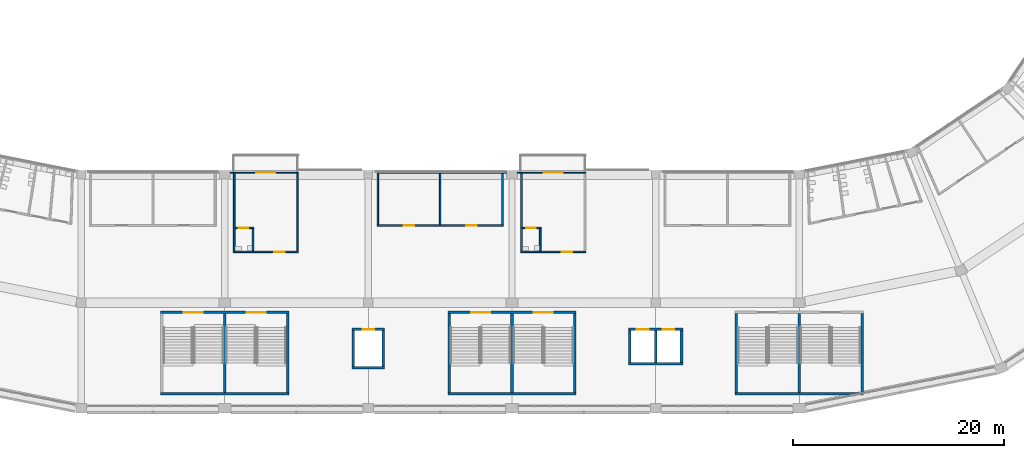
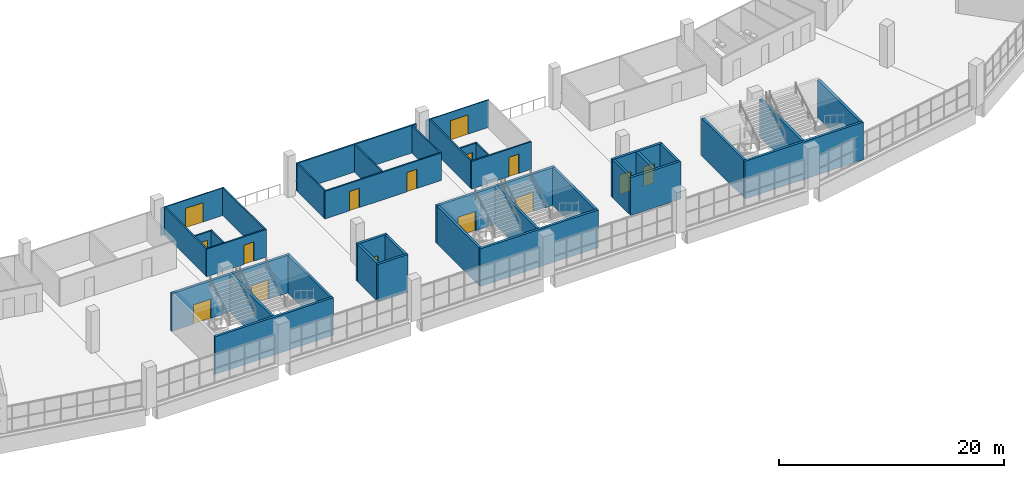
# One storey, part 75 of 199: 38 walls, 15 doors, 15 openings.
"""IFC4 building model written with IfcOpenShell, lengths in metres."""

from ifc_helpers import new_model, si_unit, direction, frame, frame_2d, origin, place, context, subcontext, project, spatial, rectangle, extrude, material, layer, layer_set, type_object, element, fill, save


model = new_model("IFC4")

# Units and contexts
model_context = context("Model", 3, precision=1e-05, world=origin(), true_north=direction((0.0, 1.0)))
body_context = subcontext(model_context, "Body", "Model", "MODEL_VIEW")
ifc_project = project(units=[si_unit("LENGTHUNIT", "METRE"), si_unit("AREAUNIT", "SQUARE_METRE"), si_unit("VOLUMEUNIT", "CUBIC_METRE"), si_unit("PLANEANGLEUNIT", "RADIAN"), si_unit("MASSUNIT", "GRAM", prefix="KILO")], contexts=[model_context])

# Site, building, storey
site_placement = place(None, origin())
site = spatial("IfcSite", under=ifc_project, at=site_placement, CompositionType="ELEMENT")
building_placement = place(site_placement, origin())
building = spatial("IfcBuilding", under=site, at=building_placement, Name="Ogive Plaza Stadium", CompositionType="ELEMENT")
storey_placement = place(building_placement, frame((0.0, 0.0, 9.0)))
storey = spatial("IfcBuildingStorey", under=building, at=storey_placement, Name="L02", CompositionType="ELEMENT", Elevation=9.0)

# Wall, opening, door
ifc_material_1 = material(Name="Masonry blockwork", Category="masonry")
ifc_layer_1 = layer(ifc_material_1, 0.14990234375)
ifc_layer_set_1 = layer_set([ifc_layer_1], Name="Blockwork wall 150")
wall_type_1 = type_object("IfcWallType", Name="Blockwork wall 150", PredefinedType="SOLIDWALL", material=ifc_layer_set_1)
wall_1_placement = place(storey_placement, frame((7.625, -87.699951171875, 0.0), z_axis=(0.0, 0.0, 1.0), x_axis=(1.0, 0.0, 0.0)))
wall_1 = element("IfcWall", 1, at=wall_1_placement, inside=storey, type_object=wall_type_1, Name="Wall L02 B13", PredefinedType="SOLIDWALL", context=body_context, shape_type="SweptSolid", body=[
    extrude(rectangle(XDim=6.14990234375, YDim=0.14990234375, at=frame_2d((3.074951171875, 0.0))), origin(), (0.0, 0.0, 1.0), 3.0),
])
opening_1_placement = place(wall_1_placement, frame((3.862060546875, 0.0, 0.0)))
opening_1 = element("IfcOpeningElement", 2, at=opening_1_placement, cuts=wall_1, Name="Opening D0657", PredefinedType="OPENING", context=body_context, shape_type="SweptSolid", body=[
    extrude(rectangle(XDim=1.0, YDim=2.10009765625, at=frame_2d((0.5, 1.050048828125))), frame((0.0, 0.074951171875, 0.0), z_axis=(0.0, -1.0, 0.0), x_axis=(1.0, 0.0, 0.0)), (0.0, 0.0, 1.0), 0.14990234375),
])
ifc_material_2 = material(Name="Steel ASTM A572 Grade 50", Category="steel")
door_type_1 = type_object("IfcDoorType", Name="Fire door FD30S 1000 x 2100", OperationType="SINGLE_SWING_LEFT", PredefinedType="DOOR", material=ifc_material_2)
door_1_placement = place(opening_1_placement, origin())
door_1 = element("IfcDoor", 3, at=door_1_placement, inside=storey, type_object=door_type_1, Name="Hospitality Suite B13 door", OperationType="SINGLE_SWING_LEFT", OverallHeight=2.10009765625, OverallWidth=1.0, PredefinedType="DOOR", context=body_context, shape_type="SweptSolid", body=[
    extrude(rectangle(XDim=1.0, YDim=2.10009765625, at=frame_2d((0.5, 1.050048828125))), frame((0.0, 0.02490234375, 0.0), z_axis=(0.0, -1.0, 0.0), x_axis=(1.0, 0.0, 0.0)), (0.0, 0.0, 1.0), 0.050048828125),
])
fill(opening_1, door_1)

# Walls
wall_2_placement = place(storey_placement, frame((7.699951171875, -80.25, 0.0), z_axis=(0.0, 0.0, 1.0), x_axis=(0.0, -1.0, 0.0)))
element("IfcWall", 4, at=wall_2_placement, inside=storey, type_object=wall_type_1, Name="Wall L02 B13", PredefinedType="SOLIDWALL", context=body_context, shape_type="SweptSolid", body=[
    extrude(rectangle(XDim=7.375, YDim=0.14990234375, at=frame_2d((3.6875, 0.0))), origin(), (0.0, 0.0, 1.0), 3.0),
])
wall_3_placement = place(storey_placement, frame((6.300048828125, -80.199951171875, 0.0), z_axis=(0.0, 0.0, 1.0), x_axis=(-1.0, 0.0, 0.0)))
element("IfcWall", 5, at=wall_3_placement, inside=storey, type_object=wall_type_1, Name="Wall L02 B14", PredefinedType="SOLIDWALL", context=body_context, shape_type="SweptSolid", body=[
    extrude(rectangle(XDim=12.275146484375, YDim=0.14990234375, at=frame_2d((6.1376953125, 0.0))), origin(), (0.0, 0.0, 1.0), 3.0),
])

# Wall, openings, doors
wall_4_placement = place(storey_placement, frame((5.97509765625, -85.199951171875, 0.0), z_axis=(0.0, 0.0, 1.0), x_axis=(-1.0, 0.0, 0.0)))
wall_4 = element("IfcWall", 6, at=wall_4_placement, inside=storey, type_object=wall_type_1, Name="Wall L02 B14", PredefinedType="SOLIDWALL", context=body_context, shape_type="SweptSolid", body=[
    extrude(rectangle(XDim=11.9501953125, YDim=0.14990234375, at=frame_2d((5.97509765625, 0.0))), origin(), (0.0, 0.0, 1.0), 3.0),
])
opening_2_placement = place(wall_4_placement, frame((2.52490234375, 0.0, 0.0)))
opening_2 = element("IfcOpeningElement", 7, at=opening_2_placement, cuts=wall_4, Name="Opening D0660", PredefinedType="OPENING", context=body_context, shape_type="SweptSolid", body=[
    extrude(rectangle(XDim=1.0, YDim=2.10009765625, at=frame_2d((0.5, 1.050048828125))), frame((0.0, 0.074951171875, 0.0), z_axis=(0.0, -1.0, 0.0), x_axis=(1.0, 0.0, 0.0)), (0.0, 0.0, 1.0), 0.14990234375),
])
opening_3_placement = place(wall_4_placement, frame((8.425048828125, 0.0, 0.0)))
opening_3 = element("IfcOpeningElement", 8, at=opening_3_placement, cuts=wall_4, Name="Opening D0661", PredefinedType="OPENING", context=body_context, shape_type="SweptSolid", body=[
    extrude(rectangle(XDim=1.0, YDim=2.10009765625, at=frame_2d((0.5, 1.050048828125))), frame((0.0, 0.074951171875, 0.0), z_axis=(0.0, -1.0, 0.0), x_axis=(1.0, 0.0, 0.0)), (0.0, 0.0, 1.0), 0.14990234375),
])
ifc_material_3 = material(Name="Steel ASTM A572 Grade 50", Category="steel")
door_type_2 = type_object("IfcDoorType", Name="Fire door FD60 1000 x 2100", OperationType="SINGLE_SWING_LEFT", PredefinedType="DOOR", material=ifc_material_3)
door_2_placement = place(opening_2_placement, origin())
door_2 = element("IfcDoor", 9, at=door_2_placement, inside=storey, type_object=door_type_2, Name="Hospitality Pantry B14 door", OperationType="SINGLE_SWING_LEFT", OverallHeight=2.10009765625, OverallWidth=1.0, PredefinedType="DOOR", context=body_context, shape_type="SweptSolid", body=[
    extrude(rectangle(XDim=1.0, YDim=2.10009765625, at=frame_2d((0.5, 1.050048828125))), frame((0.0, 0.02490234375, 0.0), z_axis=(0.0, -1.0, 0.0), x_axis=(1.0, 0.0, 0.0)), (0.0, 0.0, 1.0), 0.050048828125),
])
fill(opening_2, door_2)
door_3_placement = place(opening_3_placement, origin())
door_3 = element("IfcDoor", 10, at=door_3_placement, inside=storey, type_object=door_type_2, Name="Hospitality Store B14 door", OperationType="SINGLE_SWING_RIGHT", OverallHeight=2.10009765625, OverallWidth=1.0, PredefinedType="DOOR", context=body_context, shape_type="SweptSolid", body=[
    extrude(rectangle(XDim=1.0, YDim=2.10009765625, at=frame_2d((0.5, 1.050048828125))), frame((0.0, 0.02490234375, 0.0), z_axis=(0.0, -1.0, 0.0), x_axis=(1.0, 0.0, 0.0)), (0.0, 0.0, 1.0), 0.050048828125),
])
fill(opening_3, door_3)

# Walls
for number, where, z_axis, x_axis, name in (
    (11, (5.89990234375, -80.27490234375, 0.0), (0.0, 0.0, 1.0), (0.0, -1.0, 0.0), "Wall L02 B14"),
    (12, (0.0, -80.27490234375, 0.0), (0.0, 0.0, 1.0), (0.0, -1.0, 0.0), "Wall L02 B14"),
    (13, (-5.89990234375, -80.27490234375, 0.0), (0.0, 0.0, 1.0), (0.0, -1.0, 0.0), "Wall L02 B14"),
):
    element("IfcWall", number, at=place(storey_placement, frame(where, z_axis=z_axis, x_axis=x_axis)), inside=storey, type_object=wall_type_1, Name=name, PredefinedType="SOLIDWALL", context=body_context, shape_type="SweptSolid", body=[
        extrude(rectangle(XDim=4.85009765625, YDim=0.14990234375, at=frame_2d((2.425048828125, 0.0))), origin(), (0.0, 0.0, 1.0), 3.0),
    ])

# Wall, opening, door
wall_5_placement = place(storey_placement, frame((-19.574951171875, -87.699951171875, 0.0), z_axis=(0.0, 0.0, 1.0), x_axis=(1.0, 0.0, 0.0)))
wall_5 = element("IfcWall", 14, at=wall_5_placement, inside=storey, type_object=wall_type_1, Name="Wall L02 B15", PredefinedType="SOLIDWALL", context=body_context, shape_type="SweptSolid", body=[
    extrude(rectangle(XDim=6.14990234375, YDim=0.14990234375, at=frame_2d((3.074951171875, 0.0))), origin(), (0.0, 0.0, 1.0), 3.0),
])
opening_4_placement = place(wall_5_placement, frame((3.862060546875, 0.0, 0.0)))
opening_4 = element("IfcOpeningElement", 15, at=opening_4_placement, cuts=wall_5, Name="Opening D0662", PredefinedType="OPENING", context=body_context, shape_type="SweptSolid", body=[
    extrude(rectangle(XDim=1.0, YDim=2.10009765625, at=frame_2d((0.5, 1.050048828125))), frame((0.0, 0.074951171875, 0.0), z_axis=(0.0, -1.0, 0.0), x_axis=(1.0, 0.0, 0.0)), (0.0, 0.0, 1.0), 0.14990234375),
])
door_4_placement = place(opening_4_placement, origin())
door_4 = element("IfcDoor", 16, at=door_4_placement, inside=storey, type_object=door_type_1, Name="Hospitality Suite B15 door", OperationType="SINGLE_SWING_LEFT", OverallHeight=2.10009765625, OverallWidth=1.0, PredefinedType="DOOR", context=body_context, shape_type="SweptSolid", body=[
    extrude(rectangle(XDim=1.0, YDim=2.10009765625, at=frame_2d((0.5, 1.050048828125))), frame((0.0, 0.02490234375, 0.0), z_axis=(0.0, -1.0, 0.0), x_axis=(1.0, 0.0, 0.0)), (0.0, 0.0, 1.0), 0.050048828125),
])
fill(opening_4, door_4)

# Walls
for number, where, z_axis, x_axis, name in (
    (17, (-19.5, -80.25, 0.0), (0.0, 0.0, 1.0), (0.0, -1.0, 0.0), "Wall L02 B15"),
    (18, (-13.5, -80.25, 0.0), (0.0, 0.0, 1.0), (0.0, -1.0, 0.0), "Wall L02 B15"),
):
    element("IfcWall", number, at=place(storey_placement, frame(where, z_axis=z_axis, x_axis=x_axis)), inside=storey, type_object=wall_type_1, Name=name, PredefinedType="SOLIDWALL", context=body_context, shape_type="SweptSolid", body=[
        extrude(rectangle(XDim=7.375, YDim=0.14990234375, at=frame_2d((3.6875, 0.0))), origin(), (0.0, 0.0, 1.0), 3.0),
    ])
ifc_material_4 = material(Name="Concrete C40/50", Category="concrete")
ifc_layer_2 = layer(ifc_material_4, 0.25)
ifc_layer_set_2 = layer_set([ifc_layer_2], Name="Concrete C40/50")
wall_type_2 = type_object("IfcWallType", Name="Core wall 250", PredefinedType="SHEAR", material=ifc_layer_set_2)
wall_6_placement = place(storey_placement, frame((27.925048828125, -101.135009765625, 0.0), z_axis=(0.0, 0.0, 1.0), x_axis=(1.0, 0.0, 0.0)))
element("IfcWall", 19, at=wall_6_placement, inside=storey, type_object=wall_type_2, Name="Stair core R12 outer wall", PredefinedType="SHEAR", context=body_context, shape_type="SweptSolid", body=[
    extrude(rectangle(XDim=12.14990234375, YDim=0.25, at=frame_2d((6.074951171875, 0.0))), origin(), (0.0, 0.0, 1.0), 4.090087890625),
])
for number, where, z_axis, x_axis, name in (
    (20, (28.050048828125, -93.550048828125, 0.0), (0.0, 0.0, 1.0), (0.0, -1.0, 0.0), "Stair core R12 side wall"),
    (21, (39.949951171875, -93.550048828125, 0.0), (0.0, 0.0, 1.0), (0.0, -1.0, 0.0), "Stair core R12 side wall"),
    (22, (34.0, -93.550048828125, 0.0), (0.0, 0.0, 1.0), (0.0, -1.0, 0.0), "Stair core R12 centre wall"),
):
    element("IfcWall", number, at=place(storey_placement, frame(where, z_axis=z_axis, x_axis=x_axis)), inside=storey, type_object=wall_type_2, Name=name, PredefinedType="SHEAR", context=body_context, shape_type="SweptSolid", body=[
        extrude(rectangle(XDim=7.4599609375, YDim=0.25, at=frame_2d((3.72998046875, 0.0))), origin(), (0.0, 0.0, 1.0), 4.090087890625),
    ])

# Wall, openings, doors
wall_7_placement = place(storey_placement, frame((0.72509765625, -93.425048828125, 0.0), z_axis=(0.0, 0.0, 1.0), x_axis=(1.0, 0.0, 0.0)))
wall_7 = element("IfcWall", 23, at=wall_7_placement, inside=storey, type_object=wall_type_2, Name="Stair core R14 inner wall", PredefinedType="SHEAR", context=body_context, shape_type="SweptSolid", body=[
    extrude(rectangle(XDim=12.14990234375, YDim=0.25, at=frame_2d((6.074951171875, 0.0))), origin(), (0.0, 0.0, 1.0), 4.090087890625),
])
opening_5_placement = place(wall_7_placement, frame((2.199951171875, 0.0, 0.0)))
opening_5 = element("IfcOpeningElement", 24, at=opening_5_placement, cuts=wall_7, Name="Opening D0123", PredefinedType="OPENING", context=body_context, shape_type="SweptSolid", body=[
    extrude(rectangle(XDim=1.800048828125, YDim=2.10009765625, at=frame_2d((0.89990234375, 1.050048828125))), frame((0.0, 0.125, 0.0), z_axis=(0.0, -1.0, 0.0), x_axis=(1.0, 0.0, 0.0)), (0.0, 0.0, 1.0), 0.25),
])
opening_6_placement = place(wall_7_placement, frame((8.14990234375, 0.0, 0.0)))
opening_6 = element("IfcOpeningElement", 25, at=opening_6_placement, cuts=wall_7, Name="Opening D0124", PredefinedType="OPENING", context=body_context, shape_type="SweptSolid", body=[
    extrude(rectangle(XDim=1.800048828125, YDim=2.10009765625, at=frame_2d((0.89990234375, 1.050048828125))), frame((0.0, 0.125, 0.0), z_axis=(0.0, -1.0, 0.0), x_axis=(1.0, 0.0, 0.0)), (0.0, 0.0, 1.0), 0.25),
])
ifc_material_5 = material(Name="Steel ASTM A572 Grade 50", Category="steel")
door_type_3 = type_object("IfcDoorType", Name="Fire door FD90 pair 1800 x 2100", OperationType="DOUBLE_DOOR_SINGLE_SWING", PredefinedType="DOOR", material=ifc_material_5)
door_5_placement = place(opening_5_placement, origin())
door_5 = element("IfcDoor", 26, at=door_5_placement, inside=storey, type_object=door_type_3, Name="Exit stair R14A door L02", OperationType="DOUBLE_DOOR_SINGLE_SWING", OverallHeight=2.10009765625, OverallWidth=1.800048828125, PredefinedType="DOOR", context=body_context, shape_type="SweptSolid", body=[
    extrude(rectangle(XDim=1.800048828125, YDim=2.10009765625, at=frame_2d((0.89990234375, 1.050048828125))), frame((0.0, 0.02490234375, 0.0), z_axis=(0.0, -1.0, 0.0), x_axis=(1.0, 0.0, 0.0)), (0.0, 0.0, 1.0), 0.050048828125),
])
fill(opening_5, door_5)
door_6_placement = place(opening_6_placement, origin())
door_6 = element("IfcDoor", 27, at=door_6_placement, inside=storey, type_object=door_type_3, Name="Exit stair R14B door L02", OperationType="DOUBLE_DOOR_SINGLE_SWING", OverallHeight=2.10009765625, OverallWidth=1.800048828125, PredefinedType="DOOR", context=body_context, shape_type="SweptSolid", body=[
    extrude(rectangle(XDim=1.800048828125, YDim=2.10009765625, at=frame_2d((0.89990234375, 1.050048828125))), frame((0.0, 0.02490234375, 0.0), z_axis=(0.0, -1.0, 0.0), x_axis=(1.0, 0.0, 0.0)), (0.0, 0.0, 1.0), 0.050048828125),
])
fill(opening_6, door_6)

# Walls
wall_8_placement = place(storey_placement, frame((0.72509765625, -101.135009765625, 0.0), z_axis=(0.0, 0.0, 1.0), x_axis=(1.0, 0.0, 0.0)))
element("IfcWall", 28, at=wall_8_placement, inside=storey, type_object=wall_type_2, Name="Stair core R14 outer wall", PredefinedType="SHEAR", context=body_context, shape_type="SweptSolid", body=[
    extrude(rectangle(XDim=12.14990234375, YDim=0.25, at=frame_2d((6.074951171875, 0.0))), origin(), (0.0, 0.0, 1.0), 4.090087890625),
])
for number, where, z_axis, x_axis, name in (
    (29, (0.85009765625, -93.550048828125, 0.0), (0.0, 0.0, 1.0), (0.0, -1.0, 0.0), "Stair core R14 side wall"),
    (30, (12.75, -93.550048828125, 0.0), (0.0, 0.0, 1.0), (0.0, -1.0, 0.0), "Stair core R14 side wall"),
    (31, (6.800048828125, -93.550048828125, 0.0), (0.0, 0.0, 1.0), (0.0, -1.0, 0.0), "Stair core R14 centre wall"),
):
    element("IfcWall", number, at=place(storey_placement, frame(where, z_axis=z_axis, x_axis=x_axis)), inside=storey, type_object=wall_type_2, Name=name, PredefinedType="SHEAR", context=body_context, shape_type="SweptSolid", body=[
        extrude(rectangle(XDim=7.4599609375, YDim=0.25, at=frame_2d((3.72998046875, 0.0))), origin(), (0.0, 0.0, 1.0), 4.090087890625),
    ])

# Wall, openings, doors
wall_9_placement = place(storey_placement, frame((-26.47509765625, -93.425048828125, 0.0), z_axis=(0.0, 0.0, 1.0), x_axis=(1.0, 0.0, 0.0)))
wall_9 = element("IfcWall", 32, at=wall_9_placement, inside=storey, type_object=wall_type_2, Name="Stair core R16 inner wall", PredefinedType="SHEAR", context=body_context, shape_type="SweptSolid", body=[
    extrude(rectangle(XDim=12.150146484375, YDim=0.25, at=frame_2d((6.0751953125, 0.0))), origin(), (0.0, 0.0, 1.0), 4.090087890625),
])
opening_7_placement = place(wall_9_placement, frame((2.199951171875, 0.0, 0.0)))
opening_7 = element("IfcOpeningElement", 33, at=opening_7_placement, cuts=wall_9, Name="Opening D0137", PredefinedType="OPENING", context=body_context, shape_type="SweptSolid", body=[
    extrude(rectangle(XDim=1.800048828125, YDim=2.10009765625, at=frame_2d((0.89990234375, 1.050048828125))), frame((0.0, 0.125, 0.0), z_axis=(0.0, -1.0, 0.0), x_axis=(1.0, 0.0, 0.0)), (0.0, 0.0, 1.0), 0.25),
])
opening_8_placement = place(wall_9_placement, frame((8.14990234375, 0.0, 0.0)))
opening_8 = element("IfcOpeningElement", 34, at=opening_8_placement, cuts=wall_9, Name="Opening D0138", PredefinedType="OPENING", context=body_context, shape_type="SweptSolid", body=[
    extrude(rectangle(XDim=1.800048828125, YDim=2.10009765625, at=frame_2d((0.89990234375, 1.050048828125))), frame((0.0, 0.125, 0.0), z_axis=(0.0, -1.0, 0.0), x_axis=(1.0, 0.0, 0.0)), (0.0, 0.0, 1.0), 0.25),
])
door_7_placement = place(opening_7_placement, origin())
door_7 = element("IfcDoor", 35, at=door_7_placement, inside=storey, type_object=door_type_3, Name="Exit stair R16A door L02", OperationType="DOUBLE_DOOR_SINGLE_SWING", OverallHeight=2.10009765625, OverallWidth=1.800048828125, PredefinedType="DOOR", context=body_context, shape_type="SweptSolid", body=[
    extrude(rectangle(XDim=1.800048828125, YDim=2.10009765625, at=frame_2d((0.89990234375, 1.050048828125))), frame((0.0, 0.02490234375, 0.0), z_axis=(0.0, -1.0, 0.0), x_axis=(1.0, 0.0, 0.0)), (0.0, 0.0, 1.0), 0.050048828125),
])
fill(opening_7, door_7)
door_8_placement = place(opening_8_placement, origin())
door_8 = element("IfcDoor", 36, at=door_8_placement, inside=storey, type_object=door_type_3, Name="Exit stair R16B door L02", OperationType="DOUBLE_DOOR_SINGLE_SWING", OverallHeight=2.10009765625, OverallWidth=1.800048828125, PredefinedType="DOOR", context=body_context, shape_type="SweptSolid", body=[
    extrude(rectangle(XDim=1.800048828125, YDim=2.10009765625, at=frame_2d((0.89990234375, 1.050048828125))), frame((0.0, 0.02490234375, 0.0), z_axis=(0.0, -1.0, 0.0), x_axis=(1.0, 0.0, 0.0)), (0.0, 0.0, 1.0), 0.050048828125),
])
fill(opening_8, door_8)

# Walls
wall_10_placement = place(storey_placement, frame((-26.47509765625, -101.135009765625, 0.0), z_axis=(0.0, 0.0, 1.0), x_axis=(1.0, 0.0, 0.0)))
element("IfcWall", 37, at=wall_10_placement, inside=storey, type_object=wall_type_2, Name="Stair core R16 outer wall", PredefinedType="SHEAR", context=body_context, shape_type="SweptSolid", body=[
    extrude(rectangle(XDim=12.150146484375, YDim=0.25, at=frame_2d((6.0751953125, 0.0))), origin(), (0.0, 0.0, 1.0), 4.090087890625),
])
for number, where, z_axis, x_axis, name in (
    (38, (-14.449951171875, -93.550048828125, 0.0), (0.0, 0.0, 1.0), (0.0, -1.0, 0.0), "Stair core R16 side wall"),
    (39, (-20.39990234375, -93.550048828125, 0.0), (0.0, 0.0, 1.0), (0.0, -1.0, 0.0), "Stair core R16 centre wall"),
):
    element("IfcWall", number, at=place(storey_placement, frame(where, z_axis=z_axis, x_axis=x_axis)), inside=storey, type_object=wall_type_2, Name=name, PredefinedType="SHEAR", context=body_context, shape_type="SweptSolid", body=[
        extrude(rectangle(XDim=7.4599609375, YDim=0.25, at=frame_2d((3.72998046875, 0.0))), origin(), (0.0, 0.0, 1.0), 4.090087890625),
    ])

# Wall, openings, doors
wall_11_placement = place(storey_placement, frame((17.824951171875, -95.02490234375, 0.0), z_axis=(0.0, 0.0, 1.0), x_axis=(1.0, 0.0, 0.0)))
wall_11 = element("IfcWall", 40, at=wall_11_placement, inside=storey, type_object=wall_type_2, Name="Lift core LP13 landing wall", PredefinedType="SHEAR", context=body_context, shape_type="SweptSolid", body=[
    extrude(rectangle(XDim=5.150146484375, YDim=0.25, at=frame_2d((2.5751953125, 0.0))), origin(), (0.0, 0.0, 1.0), 4.090087890625),
])
opening_9_placement = place(wall_11_placement, frame((0.800048828125, 0.0, 0.0)))
opening_9 = element("IfcOpeningElement", 41, at=opening_9_placement, cuts=wall_11, Name="Opening LD027", PredefinedType="OPENING", context=body_context, shape_type="SweptSolid", body=[
    extrude(rectangle(XDim=1.10009765625, YDim=2.10009765625, at=frame_2d((0.550048828125, 1.050048828125))), frame((0.0, 0.125, 0.0), z_axis=(0.0, -1.0, 0.0), x_axis=(1.0, 0.0, 0.0)), (0.0, 0.0, 1.0), 0.25),
])
opening_10_placement = place(wall_11_placement, frame((3.25, 0.0, 0.0)))
opening_10 = element("IfcOpeningElement", 42, at=opening_10_placement, cuts=wall_11, Name="Opening LD028", PredefinedType="OPENING", context=body_context, shape_type="SweptSolid", body=[
    extrude(rectangle(XDim=1.10009765625, YDim=2.10009765625, at=frame_2d((0.550048828125, 1.050048828125))), frame((0.0, 0.125, 0.0), z_axis=(0.0, -1.0, 0.0), x_axis=(1.0, 0.0, 0.0)), (0.0, 0.0, 1.0), 0.25),
])
ifc_material_6 = material(Name="Steel ASTM A572 Grade 50", Category="steel")
door_type_4 = type_object("IfcDoorType", Name="Landing door 1100 x 2100", OperationType="SLIDING_TO_LEFT", PredefinedType="DOOR", material=ifc_material_6)
door_9_placement = place(opening_9_placement, origin())
door_9 = element("IfcDoor", 43, at=door_9_placement, inside=storey, type_object=door_type_4, Name="Lift landing door LP13 L02", OperationType="SLIDING_TO_LEFT", OverallHeight=2.10009765625, OverallWidth=1.10009765625, PredefinedType="DOOR", context=body_context, shape_type="SweptSolid", body=[
    extrude(rectangle(XDim=1.10009765625, YDim=2.10009765625, at=frame_2d((0.550048828125, 1.050048828125))), frame((0.0, 0.02490234375, 0.0), z_axis=(0.0, -1.0, 0.0), x_axis=(1.0, 0.0, 0.0)), (0.0, 0.0, 1.0), 0.050048828125),
])
fill(opening_9, door_9)
door_10_placement = place(opening_10_placement, origin())
door_10 = element("IfcDoor", 44, at=door_10_placement, inside=storey, type_object=door_type_4, Name="Lift landing door LP13 L02", OperationType="SLIDING_TO_LEFT", OverallHeight=2.10009765625, OverallWidth=1.10009765625, PredefinedType="DOOR", context=body_context, shape_type="SweptSolid", body=[
    extrude(rectangle(XDim=1.10009765625, YDim=2.10009765625, at=frame_2d((0.550048828125, 1.050048828125))), frame((0.0, 0.02490234375, 0.0), z_axis=(0.0, -1.0, 0.0), x_axis=(1.0, 0.0, 0.0)), (0.0, 0.0, 1.0), 0.050048828125),
])
fill(opening_10, door_10)

# Walls
wall_12_placement = place(storey_placement, frame((17.824951171875, -98.27490234375, 0.0), z_axis=(0.0, 0.0, 1.0), x_axis=(1.0, 0.0, 0.0)))
element("IfcWall", 45, at=wall_12_placement, inside=storey, type_object=wall_type_2, Name="Lift core LP13 rear wall", PredefinedType="SHEAR", context=body_context, shape_type="SweptSolid", body=[
    extrude(rectangle(XDim=5.150146484375, YDim=0.25, at=frame_2d((2.5751953125, 0.0))), origin(), (0.0, 0.0, 1.0), 4.090087890625),
])
for number, where, z_axis, x_axis, name in (
    (46, (17.949951171875, -95.14990234375, 0.0), (0.0, 0.0, 1.0), (0.0, -1.0, 0.0), "Lift core LP13 side wall"),
    (47, (22.85009765625, -95.14990234375, 0.0), (0.0, 0.0, 1.0), (0.0, -1.0, 0.0), "Lift core LP13 side wall"),
    (48, (20.39990234375, -95.14990234375, 0.0), (0.0, 0.0, 1.0), (0.0, -1.0, 0.0), "Lift core LP13 centre wall"),
):
    element("IfcWall", number, at=place(storey_placement, frame(where, z_axis=z_axis, x_axis=x_axis)), inside=storey, type_object=wall_type_2, Name=name, PredefinedType="SHEAR", context=body_context, shape_type="SweptSolid", body=[
        extrude(rectangle(XDim=3.0, YDim=0.25, at=frame_2d((1.5, 0.0))), origin(), (0.0, 0.0, 1.0), 4.090087890625),
    ])

# Wall, opening, door
wall_13_placement = place(storey_placement, frame((-8.35009765625, -95.02490234375, 0.0), z_axis=(0.0, 0.0, 1.0), x_axis=(1.0, 0.0, 0.0)))
wall_13 = element("IfcWall", 49, at=wall_13_placement, inside=storey, type_object=wall_type_2, Name="Lift core LS15 landing wall", PredefinedType="SHEAR", context=body_context, shape_type="SweptSolid", body=[
    extrude(rectangle(XDim=3.10009765625, YDim=0.25, at=frame_2d((1.550048828125, 0.0))), origin(), (0.0, 0.0, 1.0), 4.090087890625),
])
opening_11_placement = place(wall_13_placement, frame((1.0, 0.0, 0.0)))
opening_11 = element("IfcOpeningElement", 50, at=opening_11_placement, cuts=wall_13, Name="Opening LD038", PredefinedType="OPENING", context=body_context, shape_type="SweptSolid", body=[
    extrude(rectangle(XDim=1.10009765625, YDim=2.10009765625, at=frame_2d((0.550048828125, 1.050048828125))), frame((0.0, 0.125, 0.0), z_axis=(0.0, -1.0, 0.0), x_axis=(1.0, 0.0, 0.0)), (0.0, 0.0, 1.0), 0.25),
])
door_11_placement = place(opening_11_placement, origin())
door_11 = element("IfcDoor", 51, at=door_11_placement, inside=storey, type_object=door_type_4, Name="Lift landing door LS15 L02", OperationType="SLIDING_TO_LEFT", OverallHeight=2.10009765625, OverallWidth=1.10009765625, PredefinedType="DOOR", context=body_context, shape_type="SweptSolid", body=[
    extrude(rectangle(XDim=1.10009765625, YDim=2.10009765625, at=frame_2d((0.550048828125, 1.050048828125))), frame((0.0, 0.02490234375, 0.0), z_axis=(0.0, -1.0, 0.0), x_axis=(1.0, 0.0, 0.0)), (0.0, 0.0, 1.0), 0.050048828125),
])
fill(opening_11, door_11)

# Walls
wall_14_placement = place(storey_placement, frame((-8.35009765625, -98.675048828125, 0.0), z_axis=(0.0, 0.0, 1.0), x_axis=(1.0, 0.0, 0.0)))
element("IfcWall", 52, at=wall_14_placement, inside=storey, type_object=wall_type_2, Name="Lift core LS15 rear wall", PredefinedType="SHEAR", context=body_context, shape_type="SweptSolid", body=[
    extrude(rectangle(XDim=3.10009765625, YDim=0.25, at=frame_2d((1.550048828125, 0.0))), origin(), (0.0, 0.0, 1.0), 4.090087890625),
])
for number, where, z_axis, x_axis, name in (
    (53, (-8.22509765625, -95.14990234375, 0.0), (0.0, 0.0, 1.0), (0.0, -1.0, 0.0), "Lift core LS15 side wall"),
    (54, (-5.375, -95.14990234375, 0.0), (0.0, 0.0, 1.0), (0.0, -1.0, 0.0), "Lift core LS15 side wall"),
):
    element("IfcWall", number, at=place(storey_placement, frame(where, z_axis=z_axis, x_axis=x_axis)), inside=storey, type_object=wall_type_2, Name=name, PredefinedType="SHEAR", context=body_context, shape_type="SweptSolid", body=[
        extrude(rectangle(XDim=3.400146484375, YDim=0.25, at=frame_2d((1.7001953125, 0.0))), origin(), (0.0, 0.0, 1.0), 4.090087890625),
    ])

# Wall, opening, door
ifc_material_7 = material(Name="Laminated glass in aluminium frame", Category="aluminium")
ifc_layer_3 = layer(ifc_material_7, 0.10009765625)
ifc_layer_set_3 = layer_set([ifc_layer_3], Name="Glazed partition 100")
wall_type_3 = type_object("IfcWallType", Name="Glazed partition 100", PredefinedType="PARTITIONING", material=ifc_layer_set_3)
wall_15_placement = place(storey_placement, frame((7.300048828125, -80.199951171875, 0.0), z_axis=(0.0, 0.0, 1.0), x_axis=(1.0, 0.0, 0.0)))
wall_15 = element("IfcWall", 55, at=wall_15_placement, inside=storey, type_object=wall_type_3, Name="Wall L02 B13", PredefinedType="PARTITIONING", context=body_context, shape_type="SweptSolid", body=[
    extrude(rectangle(XDim=6.474853515625, YDim=0.10009765625, at=frame_2d((3.2373046875, 0.0))), origin(), (0.0, 0.0, 1.0), 3.0),
])
opening_12_placement = place(wall_15_placement, frame((2.5, 0.0, 0.0)))
opening_12 = element("IfcOpeningElement", 56, at=opening_12_placement, cuts=wall_15, Name="Opening D0658", PredefinedType="OPENING", context=body_context, shape_type="SweptSolid", body=[
    extrude(rectangle(XDim=1.800048828125, YDim=2.10009765625, at=frame_2d((0.89990234375, 1.050048828125))), frame((0.0, 0.050048828125, 0.0), z_axis=(0.0, -1.0, 0.0), x_axis=(1.0, 0.0, 0.0)), (0.0, 0.0, 1.0), 0.10009765625),
])
ifc_material_8 = material(Name="Steel ASTM A572 Grade 50", Category="steel")
door_type_5 = type_object("IfcDoorType", Name="Door pair 1800 x 2100", OperationType="DOUBLE_DOOR_SINGLE_SWING", PredefinedType="DOOR", material=ifc_material_8)
door_12_placement = place(opening_12_placement, origin())
door_12 = element("IfcDoor", 57, at=door_12_placement, inside=storey, type_object=door_type_5, Name="Suite terrace door B13", OperationType="DOUBLE_DOOR_SINGLE_SWING", OverallHeight=2.10009765625, OverallWidth=1.800048828125, PredefinedType="DOOR", context=body_context, shape_type="SweptSolid", body=[
    extrude(rectangle(XDim=1.800048828125, YDim=2.10009765625, at=frame_2d((0.89990234375, 1.050048828125))), frame((0.0, 0.02490234375, 0.0), z_axis=(0.0, -1.0, 0.0), x_axis=(1.0, 0.0, 0.0)), (0.0, 0.0, 1.0), 0.050048828125),
])
fill(opening_12, door_12)

wall_16_placement = place(storey_placement, frame((-19.89990234375, -80.199951171875, 0.0), z_axis=(0.0, 0.0, 1.0), x_axis=(1.0, 0.0, 0.0)))
wall_16 = element("IfcWall", 58, at=wall_16_placement, inside=storey, type_object=wall_type_3, Name="Wall L02 B15", PredefinedType="PARTITIONING", context=body_context, shape_type="SweptSolid", body=[
    extrude(rectangle(XDim=6.474853515625, YDim=0.10009765625, at=frame_2d((3.2373046875, 0.0))), origin(), (0.0, 0.0, 1.0), 3.0),
])
opening_13_placement = place(wall_16_placement, frame((2.5, 0.0, 0.0)))
opening_13 = element("IfcOpeningElement", 59, at=opening_13_placement, cuts=wall_16, Name="Opening D0663", PredefinedType="OPENING", context=body_context, shape_type="SweptSolid", body=[
    extrude(rectangle(XDim=1.800048828125, YDim=2.10009765625, at=frame_2d((0.89990234375, 1.050048828125))), frame((0.0, 0.050048828125, 0.0), z_axis=(0.0, -1.0, 0.0), x_axis=(1.0, 0.0, 0.0)), (0.0, 0.0, 1.0), 0.10009765625),
])
door_13_placement = place(opening_13_placement, origin())
door_13 = element("IfcDoor", 60, at=door_13_placement, inside=storey, type_object=door_type_5, Name="Suite terrace door B15", OperationType="DOUBLE_DOOR_SINGLE_SWING", OverallHeight=2.10009765625, OverallWidth=1.800048828125, PredefinedType="DOOR", context=body_context, shape_type="SweptSolid", body=[
    extrude(rectangle(XDim=1.800048828125, YDim=2.10009765625, at=frame_2d((0.89990234375, 1.050048828125))), frame((0.0, 0.02490234375, 0.0), z_axis=(0.0, -1.0, 0.0), x_axis=(1.0, 0.0, 0.0)), (0.0, 0.0, 1.0), 0.050048828125),
])
fill(opening_13, door_13)

ifc_material_9 = material(Name="Gypsum board partition", Category="gypsum")
ifc_layer_4 = layer(ifc_material_9, 0.14990234375)
ifc_layer_set_4 = layer_set([ifc_layer_4], Name="Partition 150")
wall_type_4 = type_object("IfcWallType", Name="Partition 150", PredefinedType="PARTITIONING", material=ifc_layer_set_4)
wall_17_placement = place(storey_placement, frame((7.77490234375, -85.425048828125, 0.0), z_axis=(0.0, 0.0, 1.0), x_axis=(1.0, 0.0, 0.0)))
wall_17 = element("IfcWall", 61, at=wall_17_placement, inside=storey, type_object=wall_type_4, Name="Wall L02 B13", PredefinedType="PARTITIONING", context=body_context, shape_type="SweptSolid", body=[
    extrude(rectangle(XDim=1.775146484375, YDim=0.14990234375, at=frame_2d((0.8876953125, 0.0))), origin(), (0.0, 0.0, 1.0), 3.0),
])
opening_14_placement = place(wall_17_placement, frame((0.362548828125, 0.0, 0.0)))
opening_14 = element("IfcOpeningElement", 62, at=opening_14_placement, cuts=wall_17, Name="Opening D0659", PredefinedType="OPENING", context=body_context, shape_type="SweptSolid", body=[
    extrude(rectangle(XDim=0.89990234375, YDim=2.10009765625, at=frame_2d((0.449951171875, 1.050048828125))), frame((0.0, 0.074951171875, 0.0), z_axis=(0.0, -1.0, 0.0), x_axis=(1.0, 0.0, 0.0)), (0.0, 0.0, 1.0), 0.14990234375),
])
ifc_material_10 = material(Name="Steel ASTM A572 Grade 50", Category="steel")
door_type_6 = type_object("IfcDoorType", Name="Door 900 x 2100", OperationType="SINGLE_SWING_LEFT", PredefinedType="DOOR", material=ifc_material_10)
door_14_placement = place(opening_14_placement, origin())
door_14 = element("IfcDoor", 63, at=door_14_placement, inside=storey, type_object=door_type_6, Name="Suite WC B13 door", OperationType="SINGLE_SWING_RIGHT", OverallHeight=2.10009765625, OverallWidth=0.89990234375, PredefinedType="DOOR", context=body_context, shape_type="SweptSolid", body=[
    extrude(rectangle(XDim=0.89990234375, YDim=2.10009765625, at=frame_2d((0.449951171875, 1.050048828125))), frame((0.0, 0.02490234375, 0.0), z_axis=(0.0, -1.0, 0.0), x_axis=(1.0, 0.0, 0.0)), (0.0, 0.0, 1.0), 0.050048828125),
])
fill(opening_14, door_14)

# Wall
wall_18_placement = place(storey_placement, frame((9.47509765625, -85.5, 0.0), z_axis=(0.0, 0.0, 1.0), x_axis=(0.0, -1.0, 0.0)))
element("IfcWall", 64, at=wall_18_placement, inside=storey, type_object=wall_type_4, Name="Wall L02 B13", PredefinedType="PARTITIONING", context=body_context, shape_type="SweptSolid", body=[
    extrude(rectangle(XDim=2.125, YDim=0.14990234375, at=frame_2d((1.0625, 0.0))), origin(), (0.0, 0.0, 1.0), 3.0),
])

# Wall, opening, door
wall_19_placement = place(storey_placement, frame((-19.425048828125, -85.425048828125, 0.0), z_axis=(0.0, 0.0, 1.0), x_axis=(1.0, 0.0, 0.0)))
wall_19 = element("IfcWall", 65, at=wall_19_placement, inside=storey, type_object=wall_type_4, Name="Wall L02 B15", PredefinedType="PARTITIONING", context=body_context, shape_type="SweptSolid", body=[
    extrude(rectangle(XDim=1.775146484375, YDim=0.14990234375, at=frame_2d((0.8876953125, 0.0))), origin(), (0.0, 0.0, 1.0), 3.0),
])
opening_15_placement = place(wall_19_placement, frame((0.362548828125, 0.0, 0.0)))
opening_15 = element("IfcOpeningElement", 66, at=opening_15_placement, cuts=wall_19, Name="Opening D0664", PredefinedType="OPENING", context=body_context, shape_type="SweptSolid", body=[
    extrude(rectangle(XDim=0.89990234375, YDim=2.10009765625, at=frame_2d((0.449951171875, 1.050048828125))), frame((0.0, 0.074951171875, 0.0), z_axis=(0.0, -1.0, 0.0), x_axis=(1.0, 0.0, 0.0)), (0.0, 0.0, 1.0), 0.14990234375),
])
door_15_placement = place(opening_15_placement, origin())
door_15 = element("IfcDoor", 67, at=door_15_placement, inside=storey, type_object=door_type_6, Name="Suite WC B15 door", OperationType="SINGLE_SWING_LEFT", OverallHeight=2.10009765625, OverallWidth=0.89990234375, PredefinedType="DOOR", context=body_context, shape_type="SweptSolid", body=[
    extrude(rectangle(XDim=0.89990234375, YDim=2.10009765625, at=frame_2d((0.449951171875, 1.050048828125))), frame((0.0, 0.02490234375, 0.0), z_axis=(0.0, -1.0, 0.0), x_axis=(1.0, 0.0, 0.0)), (0.0, 0.0, 1.0), 0.050048828125),
])
fill(opening_15, door_15)

# Wall
wall_20_placement = place(storey_placement, frame((-17.72509765625, -85.5, 0.0), z_axis=(0.0, 0.0, 1.0), x_axis=(0.0, -1.0, 0.0)))
element("IfcWall", 68, at=wall_20_placement, inside=storey, type_object=wall_type_4, Name="Wall L02 B15", PredefinedType="PARTITIONING", context=body_context, shape_type="SweptSolid", body=[
    extrude(rectangle(XDim=2.125, YDim=0.14990234375, at=frame_2d((1.0625, 0.0))), origin(), (0.0, 0.0, 1.0), 3.0),
])

save(model, "model.ifc")
